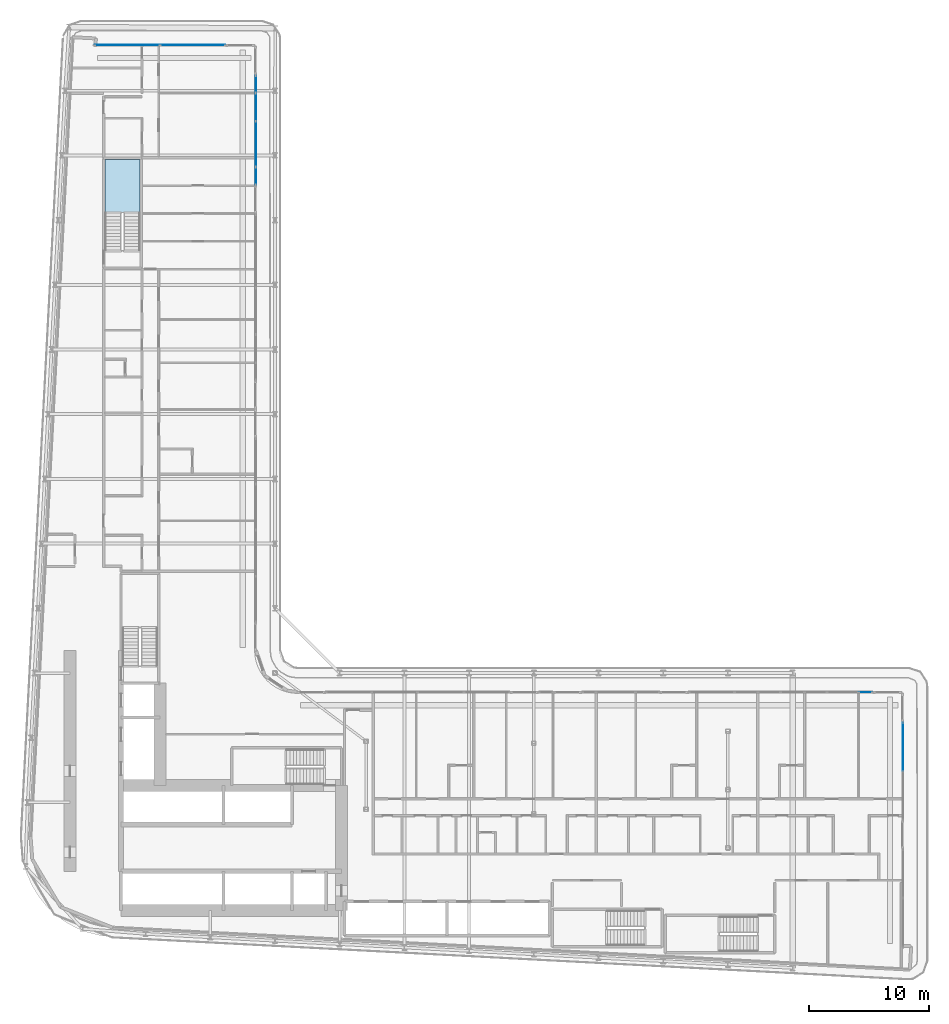
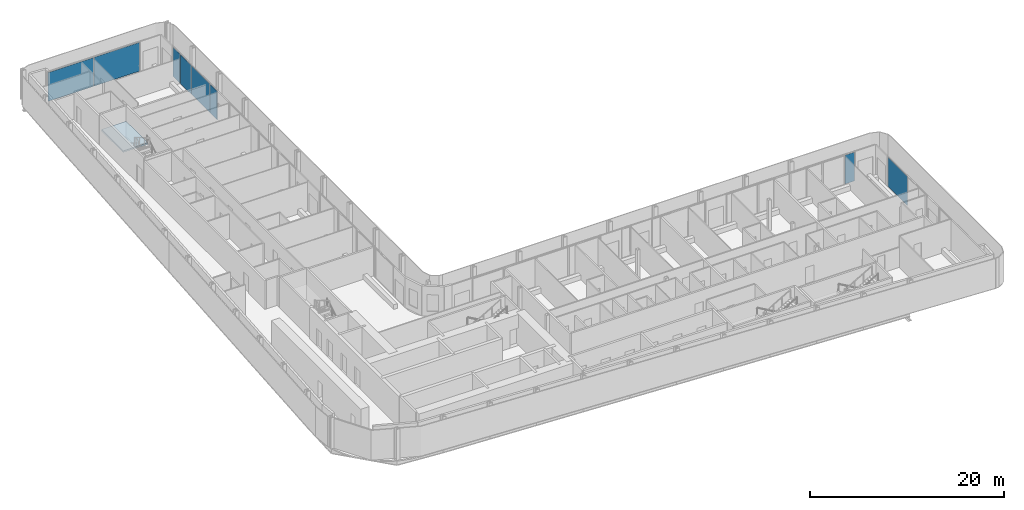
# One storey, part 13 of 29: 8 plates, 1 slab, 6 elements without a shape of their own.
"""IFC4 building model written with IfcOpenShell, lengths in metres."""

from ifc_helpers import new_model, si_unit, direction, frame, origin, origin_2d, place, context, subcontext, project, spatial, polyline, rectangle, outline, extrude, material, layer, layer_set, type_object, element, aggregate, save


model = new_model("IFC4")

# Units and contexts
model_context = context("Model", 3, precision=1e-05, world=origin(), true_north=direction((0.0, 1.0)))
body_context = subcontext(model_context, "Body", "Model", "MODEL_VIEW")
ifc_project = project(units=[si_unit("LENGTHUNIT", "METRE"), si_unit("AREAUNIT", "SQUARE_METRE"), si_unit("VOLUMEUNIT", "CUBIC_METRE"), si_unit("PLANEANGLEUNIT", "RADIAN"), si_unit("MASSUNIT", "GRAM", prefix="KILO")], contexts=[model_context])

# Site, building, storey
site_placement = place(None, origin())
site = spatial("IfcSite", under=ifc_project, at=site_placement, CompositionType="ELEMENT")
building_placement = place(site_placement, origin())
building = spatial("IfcBuilding", under=site, at=building_placement, Name="Kheshtan School and Residences Tower", CompositionType="ELEMENT")
storey_placement = place(building_placement, frame((0.0, 0.0, 65.60009765625)))
storey = spatial("IfcBuildingStorey", under=building, at=storey_placement, Name="L15", CompositionType="ELEMENT", Elevation=65.60009765625)

# Curtain wall, plates
ifc_material_1 = material(Name="Clear low-e glass in thermally broken aluminium frame", Category="aluminium")
ifc_layer_1 = layer(ifc_material_1, 0.199951171875)
ifc_layer_set_1 = layer_set([ifc_layer_1], Name="Curtain wall CW-L")
curtain_wall_type = type_object("IfcCurtainWallType", Name="Curtain wall CW-L", PredefinedType="NOTDEFINED", material=ifc_layer_set_1)
curtain_wall_1_placement = place(storey_placement, origin())
curtain_wall_1 = element("IfcCurtainWall", 1, at=curtain_wall_1_placement, inside=storey, type_object=curtain_wall_type, Name="Curtain wall CWL7", PredefinedType="NOTDEFINED")
ifc_layer_2 = layer(ifc_material_1, 0.031982421875)
ifc_layer_set_2 = layer_set([ifc_layer_2], Name="CW-L glass panel")
plate_type = type_object("IfcPlateType", Name="CW-L glass panel", PredefinedType="CURTAIN_PANEL", material=ifc_layer_set_2)
plate_1_placement = place(storey_placement, frame((35.259033203125, 98.0, 0.0), z_axis=(0.0, 0.0, 1.0), x_axis=(1.0, 0.0, 0.0)))
plate_1 = element("IfcPlate", 2, at=plate_1_placement, type_object=plate_type, Name="CWL7 panel 1.1", PredefinedType="CURTAIN_PANEL", context=body_context, shape_type="SweptSolid", body=[
    extrude(rectangle(XDim=5.4140625, YDim=0.031982421875, at=origin_2d()), origin(), (0.0, 0.0, 1.0), 3.6298828125),
])
plate_2_placement = place(storey_placement, frame((40.73291015625, 98.0, 0.0), z_axis=(0.0, 0.0, 1.0), x_axis=(1.0, 0.0, 0.0)))
plate_2 = element("IfcPlate", 3, at=plate_2_placement, type_object=plate_type, Name="CWL7 panel 2.1", PredefinedType="CURTAIN_PANEL", context=body_context, shape_type="SweptSolid", body=[
    extrude(rectangle(XDim=5.4140625, YDim=0.031982421875, at=origin_2d()), origin(), (0.0, 0.0, 1.0), 3.6298828125),
])
aggregate(curtain_wall_1, [plate_1, plate_2])

curtain_wall_2_placement = place(storey_placement, origin())
curtain_wall_2 = element("IfcCurtainWall", 4, at=curtain_wall_2_placement, inside=storey, type_object=curtain_wall_type, Name="Curtain wall CWL8c", PredefinedType="NOTDEFINED")
plate_3_placement = place(storey_placement, frame((46.0, 94.735107421875, 0.0), z_axis=(0.0, 0.0, 1.0), x_axis=(0.0, -1.0, 0.0)))
plate_3 = element("IfcPlate", 5, at=plate_3_placement, type_object=plate_type, Name="CWL8c panel 1.1", PredefinedType="CURTAIN_PANEL", context=body_context, shape_type="SweptSolid", body=[
    extrude(rectangle(XDim=1.409912109375, YDim=0.031982421875, at=origin_2d()), origin(), (0.0, 0.0, 1.0), 3.6298828125),
])
plate_4_placement = place(storey_placement, frame((46.0, 92.826416015625, 0.0), z_axis=(0.0, 0.0, 1.0), x_axis=(0.0, -1.0, 0.0)))
plate_4 = element("IfcPlate", 6, at=plate_4_placement, type_object=plate_type, Name="CWL8c panel 2.1", PredefinedType="CURTAIN_PANEL", context=body_context, shape_type="SweptSolid", body=[
    extrude(rectangle(XDim=2.287109375, YDim=0.031982421875, at=origin_2d()), origin(), (0.0, 0.0, 1.0), 3.6298828125),
])
plate_5_placement = place(storey_placement, frame((46.0, 89.744384765625, 0.0), z_axis=(0.0, 0.0, 1.0), x_axis=(0.0, -1.0, 0.0)))
plate_5 = element("IfcPlate", 7, at=plate_5_placement, type_object=plate_type, Name="CWL8c panel 3.1", PredefinedType="CURTAIN_PANEL", context=body_context, shape_type="SweptSolid", body=[
    extrude(rectangle(XDim=3.757080078125, YDim=0.031982421875, at=origin_2d()), origin(), (0.0, 0.0, 1.0), 3.6298828125),
])
aggregate(curtain_wall_2, [plate_3, plate_4, plate_5])

# Curtain wall, plate
curtain_wall_3_placement = place(storey_placement, origin())
curtain_wall_3 = element("IfcCurtainWall", 8, at=curtain_wall_3_placement, inside=storey, type_object=curtain_wall_type, Name="Curtain wall CWL8a", PredefinedType="NOTDEFINED")
plate_6_placement = place(storey_placement, frame((46.0, 87.0859375, 0.0), z_axis=(0.0, 0.0, 1.0), x_axis=(0.0, -1.0, 0.0)))
plate_6 = element("IfcPlate", 9, at=plate_6_placement, type_object=plate_type, Name="CWL8a panel 1.1", PredefinedType="CURTAIN_PANEL", context=body_context, shape_type="SweptSolid", body=[
    extrude(rectangle(XDim=1.43994140625, YDim=0.031982421875, at=origin_2d()), origin(), (0.0, 0.0, 1.0), 3.6298828125),
])
aggregate(curtain_wall_3, [plate_6])

curtain_wall_4_placement = place(storey_placement, origin())
curtain_wall_4 = element("IfcCurtainWall", 10, at=curtain_wall_4_placement, inside=storey, type_object=curtain_wall_type, Name="Curtain wall CWL12m", PredefinedType="NOTDEFINED")
plate_7_placement = place(storey_placement, frame((96.885009765625, 44.0, 0.0), z_axis=(0.0, 0.0, 1.0), x_axis=(1.0, 0.0, 0.0)))
plate_7 = element("IfcPlate", 11, at=plate_7_placement, type_object=plate_type, Name="CWL12m panel 4.1", PredefinedType="CURTAIN_PANEL", context=body_context, shape_type="SweptSolid", body=[
    extrude(rectangle(XDim=1.110107421875, YDim=0.031982421875, at=origin_2d()), origin(), (0.0, 0.0, 1.0), 3.6298828125),
])
aggregate(curtain_wall_4, [plate_7])

curtain_wall_5_placement = place(storey_placement, origin())
curtain_wall_5 = element("IfcCurtainWall", 12, at=curtain_wall_5_placement, inside=storey, type_object=curtain_wall_type, Name="Curtain wall CWL13b", PredefinedType="NOTDEFINED")
plate_8_placement = place(storey_placement, frame((100.0, 39.436767578125, 0.0), z_axis=(0.0, 0.0, 1.0), x_axis=(0.0, -1.0, 0.0)))
plate_8 = element("IfcPlate", 13, at=plate_8_placement, type_object=plate_type, Name="CWL13b panel 1.1", PredefinedType="CURTAIN_PANEL", context=body_context, shape_type="SweptSolid", body=[
    extrude(rectangle(XDim=4.006591796875, YDim=0.031982421875, at=origin_2d()), origin(), (0.0, 0.0, 1.0), 3.6298828125),
])
aggregate(curtain_wall_5, [plate_8])

# Stair, slab
ifc_material_2 = material(Name="Concrete C40/50", Category="concrete")
stair_type = type_object("IfcStairType", Name="Exit stair, half-turn", PredefinedType="HALF_TURN_STAIR", material=ifc_material_2)
stair_placement = place(storey_placement, origin())
stair = element("IfcStair", 14, at=stair_placement, inside=storey, type_object=stair_type, Name="L15 Protected Exit Stair ST3", PredefinedType="HALF_TURN_STAIR")
ifc_layer_3 = layer(ifc_material_2, 0.199951171875)
ifc_layer_set_3 = layer_set([ifc_layer_3], Name="Stair landing 200 Concrete C40/50")
slab_type = type_object("IfcSlabType", Name="Stair landing 200 Concrete C40/50", PredefinedType="LANDING", material=ifc_layer_set_3)
slab_placement = place(storey_placement, frame((0.0, 0.0, 1.75)))
slab = element("IfcSlab", 15, at=slab_placement, type_object=slab_type, Name="ST3 landing 1", PredefinedType="LANDING", context=body_context, shape_type="SweptSolid", body=[
    extrude(outline(polyline([(36.35009765625, 83.97998046875), (36.35009765625, 88.4599609375), (33.39990234375, 88.4599609375), (33.39990234375, 83.97998046875), (36.35009765625, 83.97998046875)])), origin(), (0.0, 0.0, 1.0), 0.199951171875),
])
aggregate(stair, [slab])

save(model, "model.ifc")
